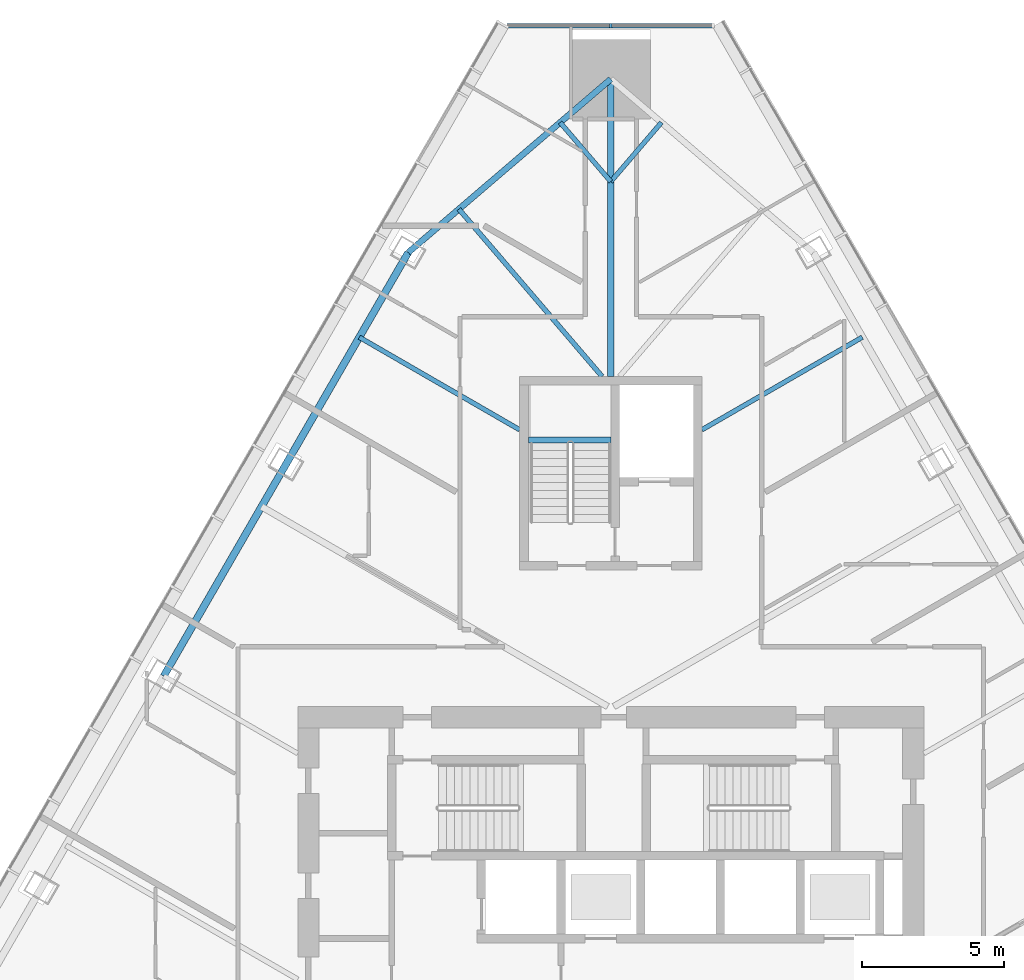
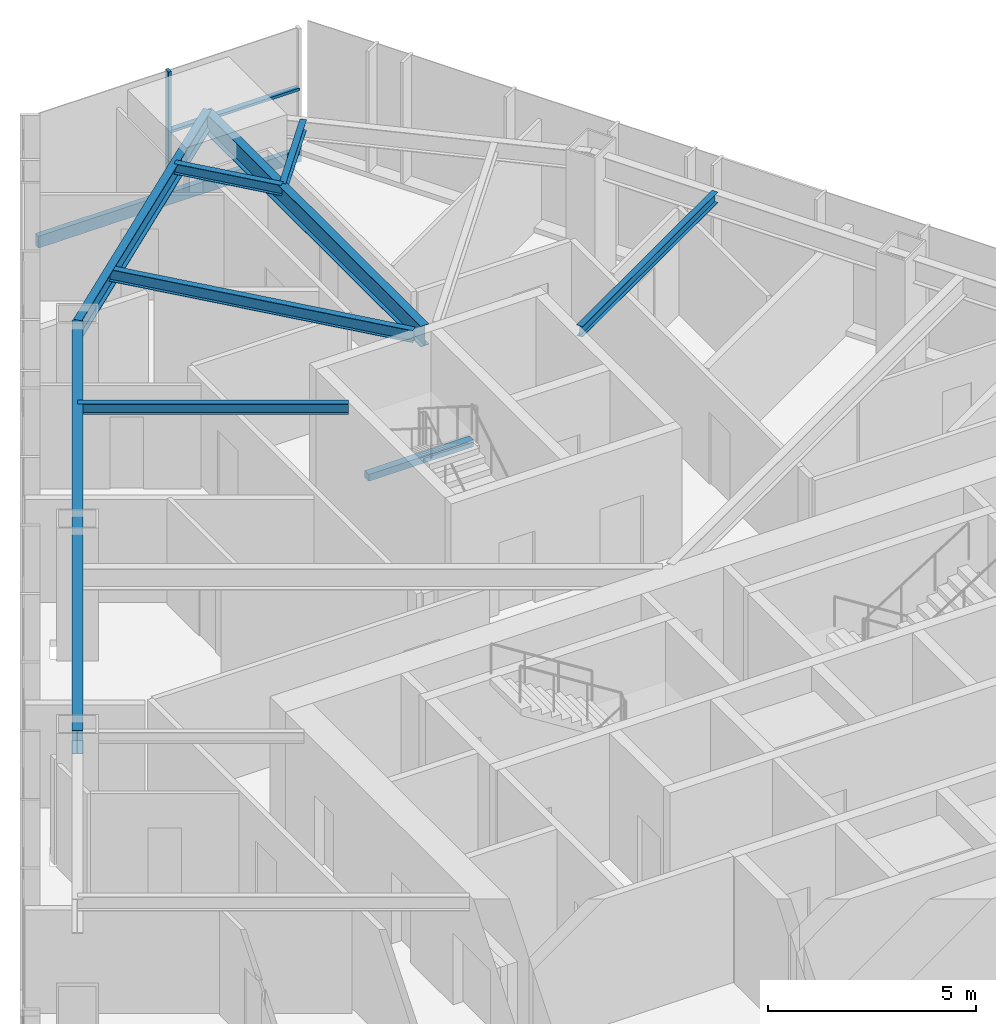
# One storey, part 7 of 16: 9 beams, 3 members, 1 element without a shape of its own.
"""IFC4 building model written with IfcOpenShell, lengths in metres."""

from ifc_helpers import new_model, si_unit, direction, frame, origin, origin_2d, place, context, subcontext, project, spatial, rectangle, i_section, extrude, material, layer, layer_set, material_profile, profile_set, type_object, element, aggregate, save


model = new_model("IFC4")

# Units and contexts
model_context = context("Model", 3, precision=1e-05, world=origin(), true_north=direction((0.0, 1.0)))
body_context = subcontext(model_context, "Body", "Model", "MODEL_VIEW")
ifc_project = project(units=[si_unit("LENGTHUNIT", "METRE"), si_unit("AREAUNIT", "SQUARE_METRE"), si_unit("VOLUMEUNIT", "CUBIC_METRE"), si_unit("PLANEANGLEUNIT", "RADIAN"), si_unit("MASSUNIT", "GRAM", prefix="KILO")], contexts=[model_context])

# Site, building, storey
site_placement = place(None, origin())
site = spatial("IfcSite", under=ifc_project, at=site_placement, CompositionType="ELEMENT")
building_placement = place(site_placement, origin())
building = spatial("IfcBuilding", under=site, at=building_placement, Name="Firuza Gate Tower and Library", CompositionType="ELEMENT")
storey_placement = place(building_placement, frame((0.0, 0.0, 198.699951171875)))
storey = spatial("IfcBuildingStorey", under=building, at=storey_placement, Name="L46", CompositionType="ELEMENT", Elevation=198.699951171875)

# Curtain wall, members
ifc_material_1 = material(Name="Aluminium 6063-T6", Category="aluminium")
ifc_layer = layer(ifc_material_1, 0.14990234375)
ifc_layer_set = layer_set([ifc_layer], Name="Corner curtain wall, chamfers")
curtain_wall_type = type_object("IfcCurtainWallType", Name="Corner curtain wall, chamfers", PredefinedType="NOTDEFINED", material=ifc_layer_set)
curtain_wall_placement = place(storey_placement, origin())
curtain_wall = element("IfcCurtainWall", 1, at=curtain_wall_placement, inside=storey, type_object=curtain_wall_type, Name="CW4 L46 N corner", PredefinedType="NOTDEFINED")
ifc_material_2 = material(Name="Aluminium 6063-T6", Category="aluminium")
ifc_material_profile_1 = material_profile(ifc_material_2, rectangle(XDim=0.14990234375, YDim=0.080078125, at=origin_2d()))
ifc_profile_set_1 = profile_set([ifc_material_profile_1], Name="Aluminium 6063-T6")
member_type_1 = type_object("IfcMemberType", Name="Curtain wall mullion 80x150", PredefinedType="MULLION", material=ifc_profile_set_1)
member_1_placement = place(storey_placement, frame((75.0, 106.923095703125, 0.150146484375), z_axis=(0.0, 0.0, 1.0), x_axis=(0.0, -1.0, 0.0)))
member_1 = element("IfcMember", 2, at=member_1_placement, type_object=member_type_1, Name="Mullion", PredefinedType="MULLION", context=body_context, shape_type="SweptSolid", body=[
    extrude(rectangle(XDim=0.14990234375, YDim=0.080078125, at=origin_2d()), origin(), (0.0, 0.0, 1.0), 3.5498046875),
])
ifc_material_3 = material(Name="Aluminium 6063-T6", Category="aluminium")
ifc_material_profile_2 = material_profile(ifc_material_3, rectangle(XDim=0.14990234375, YDim=0.35009765625, at=origin_2d()))
ifc_profile_set_2 = profile_set([ifc_material_profile_2], Name="Aluminium 6063-T6")
member_type_2 = type_object("IfcMemberType", Name="Curtain wall transom 350x150", PredefinedType="USERDEFINED", material=ifc_profile_set_2)
member_2_placement = place(storey_placement, frame((78.643310546875, 106.923095703125, -0.02490234375), z_axis=(-1.0, 0.0, 0.0), x_axis=(0.0, -1.0, 0.0)))
member_2 = element("IfcMember", 3, at=member_2_placement, type_object=member_type_2, Name="Transom", ObjectType="TRANSOM", PredefinedType="USERDEFINED", context=body_context, shape_type="SweptSolid", body=[
    extrude(rectangle(XDim=0.14990234375, YDim=0.35009765625, at=origin_2d()), origin(), (0.0, 0.0, 1.0), 7.28662109375),
])
ifc_material_4 = material(Name="Aluminium 6063-T6", Category="aluminium")
ifc_material_profile_3 = material_profile(ifc_material_4, rectangle(XDim=0.14990234375, YDim=0.080078125, at=origin_2d()))
ifc_profile_set_3 = profile_set([ifc_material_profile_3], Name="Aluminium 6063-T6")
member_type_3 = type_object("IfcMemberType", Name="Curtain wall transom 80x150", PredefinedType="USERDEFINED", material=ifc_profile_set_3)
member_3_placement = place(storey_placement, frame((78.603271484375, 106.923095703125, 1.925048828125), z_axis=(-1.0, 0.0, 0.0), x_axis=(0.0, -1.0, 0.0)))
member_3 = element("IfcMember", 4, at=member_3_placement, type_object=member_type_3, Name="Transom", ObjectType="TRANSOM", PredefinedType="USERDEFINED", context=body_context, shape_type="SweptSolid", body=[
    extrude(rectangle(XDim=0.14990234375, YDim=0.080078125, at=origin_2d()), origin(), (0.0, 0.0, 1.0), 3.563232421875),
])
aggregate(curtain_wall, [member_1, member_2, member_3])

# Beams
ifc_material_5 = material(Name="Concrete C35/45", Category="concrete")
ifc_material_profile_4 = material_profile(ifc_material_5, rectangle(XDim=0.199951171875, YDim=0.199951171875, at=origin_2d()))
ifc_profile_set_4 = profile_set([ifc_material_profile_4], Name="Concrete C35/45")
beam_type_1 = type_object("IfcBeamType", Name="Stair landing bearer 200x200", PredefinedType="BEAM", material=ifc_profile_set_4)
beam_1_placement = place(storey_placement, frame((75.0, 92.3701171875, 1.650146484375), z_axis=(-1.0, 0.0, 0.0), x_axis=(0.0, -1.0, 0.0)))
element("IfcBeam", 5, at=beam_1_placement, inside=storey, type_object=beam_type_1, Name="Landing bearer L46 stair 3", PredefinedType="BEAM", context=body_context, shape_type="SweptSolid", body=[
    extrude(rectangle(XDim=0.199951171875, YDim=0.199951171875, at=origin_2d()), origin(), (0.0, 0.0, 1.0), 2.89990234375),
])
ifc_material_6 = material(Name="Steel S355", Category="steel")
ifc_material_profile_5 = material_profile(ifc_material_6, i_section(OverallWidth=0.1650390625, OverallDepth=0.31005859375, WebThickness=0.005859375, FlangeThickness=0.009765625, at=origin_2d()))
ifc_profile_set_5 = profile_set([ifc_material_profile_5], Name="Steel S355")
beam_type_2 = type_object("IfcBeamType", Name="W310x39 Floor beam", PredefinedType="JOIST", material=ifc_profile_set_5)
beam_2_placement = place(storey_placement, frame((83.836181640625, 95.978759765625, 3.545166015625), z_axis=(-0.866020665746, -0.500008206434, 0.0), x_axis=(0.500008206434, -0.866020665746, 0.0)))
element("IfcBeam", 6, at=beam_2_placement, inside=storey, type_object=beam_type_2, Name="Floor beam L46 s54", PredefinedType="JOIST", context=body_context, shape_type="SweptSolid", body=[
    extrude(i_section(OverallWidth=0.1650390625, OverallDepth=0.31005859375, WebThickness=0.005859375, FlangeThickness=0.009765625, at=origin_2d()), origin(), (0.0, 0.0, 1.0), 6.50830078125),
])
for number, where, z_axis, x_axis, name in (
    (7, (76.779296875, 103.52490234375, 3.545166015625), (-0.650291557342, -0.759684730957, 0.0), (0.759684730957, -0.650291557342, 0.0), "Floor beam L46 s61"),
    (8, (73.220703125, 103.52490234375, 3.545166015625), (0.650291557342, -0.759684730957, 0.0), (0.759684730957, 0.650291557342, 0.0), "Floor beam L46 s70"),
):
    element("IfcBeam", number, at=place(storey_placement, frame(where, z_axis=z_axis, x_axis=x_axis)), inside=storey, type_object=beam_type_2, Name=name, PredefinedType="JOIST", context=body_context, shape_type="SweptSolid", body=[
        extrude(i_section(OverallWidth=0.1650390625, OverallDepth=0.31005859375, WebThickness=0.005859375, FlangeThickness=0.009765625, at=origin_2d()), origin(), (0.0, 0.0, 1.0), 2.736083984375),
    ])
beam_3_placement = place(storey_placement, frame((66.163818359375, 95.978759765625, 3.545166015625), z_axis=(0.866020665746, -0.500008206434, 0.0), x_axis=(0.500008206434, 0.866020665746, 0.0)))
element("IfcBeam", 9, at=beam_3_placement, inside=storey, type_object=beam_type_2, Name="Floor beam L46 s80", PredefinedType="JOIST", context=body_context, shape_type="SweptSolid", body=[
    extrude(i_section(OverallWidth=0.1650390625, OverallDepth=0.31005859375, WebThickness=0.005859375, FlangeThickness=0.009765625, at=origin_2d()), origin(), (0.0, 0.0, 1.0), 6.50830078125),
])
ifc_material_7 = material(Name="Steel S355", Category="steel")
ifc_material_profile_6 = material_profile(ifc_material_7, i_section(OverallWidth=0.1708984375, OverallDepth=0.35498046875, WebThickness=0.007080078125, FlangeThickness=0.01171875, at=origin_2d()))
ifc_profile_set_6 = profile_set([ifc_material_profile_6], Name="Steel S355")
beam_type_3 = type_object("IfcBeamType", Name="W360x51 Floor beam", PredefinedType="JOIST", material=ifc_profile_set_6)
beam_4_placement = place(storey_placement, frame((69.661865234375, 100.478759765625, 3.5224609375), z_axis=(0.650297579559, -0.759679575887, 0.0), x_axis=(0.759679575887, 0.650297579559, 0.0)))
element("IfcBeam", 10, at=beam_4_placement, inside=storey, type_object=beam_type_3, Name="Floor beam L46 s71", PredefinedType="JOIST", context=body_context, shape_type="SweptSolid", body=[
    extrude(i_section(OverallWidth=0.1708984375, OverallDepth=0.35498046875, WebThickness=0.007080078125, FlangeThickness=0.01171875, at=origin_2d()), origin(), (0.0, 0.0, 1.0), 7.73828125),
])
ifc_material_8 = material(Name="Steel S355", Category="steel")
ifc_material_profile_7 = material_profile(ifc_material_8, i_section(OverallWidth=0.212890625, OverallDepth=0.5390625, WebThickness=0.01171875, FlangeThickness=0.018798828125, at=origin_2d()))
ifc_profile_set_7 = profile_set([ifc_material_profile_7], Name="Steel S355")
beam_type_4 = type_object("IfcBeamType", Name="W530x109 Edge beam", PredefinedType="SPANDREL", material=ifc_profile_set_7)
beam_5_placement = place(storey_placement, frame((75.0, 105.048095703125, 3.4306640625), z_axis=(-0.759685024289, -0.650291214665, 0.0), x_axis=(0.650291214665, -0.759685024289, 0.0)))
element("IfcBeam", 11, at=beam_5_placement, inside=storey, type_object=beam_type_4, Name="Edge beam L46 e70", PredefinedType="SPANDREL", context=body_context, shape_type="SweptSolid", body=[
    extrude(i_section(OverallWidth=0.212890625, OverallDepth=0.5390625, WebThickness=0.01171875, FlangeThickness=0.018798828125, at=origin_2d()), origin(), (0.0, 0.0, 1.0), 9.368896484375),
])
ifc_material_9 = material(Name="Steel S355", Category="steel")
ifc_material_profile_8 = material_profile(ifc_material_9, i_section(OverallWidth=0.22802734375, OverallDepth=0.60302734375, WebThickness=0.010498046875, FlangeThickness=0.014892578125, at=origin_2d()))
ifc_profile_set_8 = profile_set([ifc_material_profile_8], Name="Steel S355")
beam_type_5 = type_object("IfcBeamType", Name="W610x101 Girder", PredefinedType="BEAM", material=ifc_profile_set_8)
beam_6_placement = place(storey_placement, frame((75.0, 105.048095703125, 3.3984375), z_axis=(0.0, -1.0, 0.0), x_axis=(1.0, 0.0, 0.0)))
element("IfcBeam", 12, at=beam_6_placement, inside=storey, type_object=beam_type_5, Name="Girder L46 gN", PredefinedType="BEAM", context=body_context, shape_type="SweptSolid", body=[
    extrude(i_section(OverallWidth=0.22802734375, OverallDepth=0.60302734375, WebThickness=0.010498046875, FlangeThickness=0.014892578125, at=origin_2d()), origin(), (0.0, 0.0, 1.0), 10.447998046875),
])
ifc_material_10 = material(Name="Steel S355", Category="steel")
ifc_material_profile_9 = material_profile(ifc_material_10, i_section(OverallWidth=0.2529296875, OverallDepth=0.677978515625, WebThickness=0.01171875, FlangeThickness=0.016357421875, at=origin_2d()))
ifc_profile_set_9 = profile_set([ifc_material_profile_9], Name="Steel S355")
beam_type_6 = type_object("IfcBeamType", Name="W690x125 Edge beam", PredefinedType="SPANDREL", material=ifc_profile_set_9)
beam_7_placement = place(storey_placement, frame((67.882568359375, 98.95556640625, 3.361083984375), z_axis=(-0.500001158966, -0.866024734654, 0.0), x_axis=(0.866024734654, -0.500001158966, 0.0)))
element("IfcBeam", 13, at=beam_7_placement, inside=storey, type_object=beam_type_6, Name="Edge beam L46 e80", PredefinedType="SPANDREL", context=body_context, shape_type="SweptSolid", body=[
    extrude(i_section(OverallWidth=0.2529296875, OverallDepth=0.677978515625, WebThickness=0.01171875, FlangeThickness=0.016357421875, at=origin_2d()), origin(), (0.0, 0.0, 1.0), 17.1875),
])

save(model, "model.ifc")
